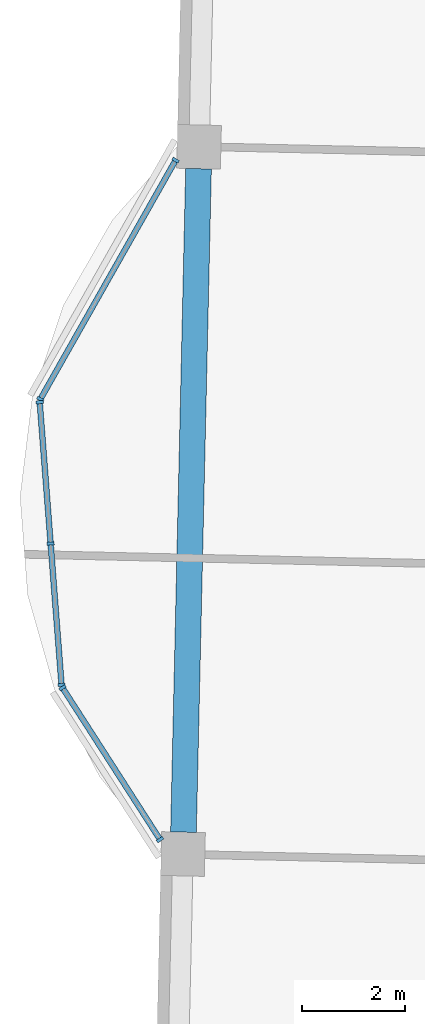
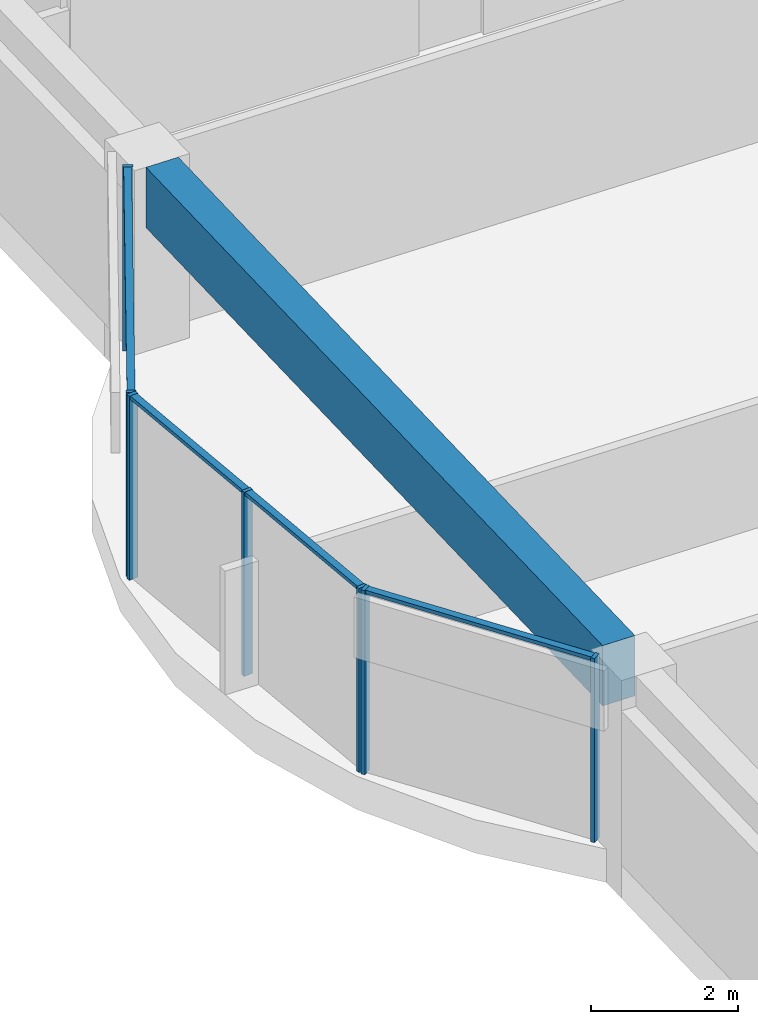
# One storey, part 2 of 11: 11 members, 1 beam, 3 elements without a shape of their own.
"""IFC4 building model written with IfcOpenShell, lengths in metres."""

from ifc_helpers import new_model, si_unit, direction, frame, origin, origin_2d, place, context, subcontext, project, spatial, rectangle, extrude, material, material_profile, profile_set, type_object, element, aggregate, save


model = new_model("IFC4")

# Units and contexts
model_context = context("Model", 3, precision=1e-05, world=origin(), true_north=direction((0.0, 1.0)))
body_context = subcontext(model_context, "Body", "Model", "MODEL_VIEW")
ifc_project = project(units=[si_unit("LENGTHUNIT", "METRE"), si_unit("AREAUNIT", "SQUARE_METRE"), si_unit("VOLUMEUNIT", "CUBIC_METRE"), si_unit("PLANEANGLEUNIT", "RADIAN"), si_unit("MASSUNIT", "GRAM", prefix="KILO")], contexts=[model_context])

# Site, building, storey
site_placement = place(None, origin())
site = spatial("IfcSite", under=ifc_project, at=site_placement, CompositionType="ELEMENT")
building_placement = place(site_placement, origin())
building = spatial("IfcBuilding", under=site, at=building_placement, Name="Mangrove Gate Tower", CompositionType="ELEMENT")
storey_placement = place(building_placement, frame((0.0, 0.0, 334.300048828125)))
storey = spatial("IfcBuildingStorey", under=building, at=storey_placement, Name="L85", CompositionType="ELEMENT", Elevation=334.300048828125)

# Curtain wall, members
ifc_material_1 = material(Name="Aluminium and glass curtain wall", Category="aluminium")
curtain_wall_type = type_object("IfcCurtainWallType", Name="Crown garden glazing wall", PredefinedType="NOTDEFINED", material=ifc_material_1)
curtain_wall_1_placement = place(storey_placement, origin())
curtain_wall_1 = element("IfcCurtainWall", 1, at=curtain_wall_1_placement, inside=storey, type_object=curtain_wall_type, Name="Crown garden glazing W9f1", PredefinedType="NOTDEFINED")
ifc_material_2 = material(Name="Aluminium alloy 6063-T6", Category="aluminium")
ifc_material_profile_1 = material_profile(ifc_material_2, rectangle(XDim=0.06005859375, YDim=0.139892578125, at=origin_2d()))
ifc_profile_set_1 = profile_set([ifc_material_profile_1], Name="Aluminium alloy 6063-T6")
member_type_1 = type_object("IfcMemberType", Name="Crown garden glazing mullion 60x140", PredefinedType="MULLION", material=ifc_profile_set_1)
member_1_placement = place(storey_placement, frame((-28.517333984375, 8.866455078125, 0.0), z_axis=(0.0, 0.0, 1.0), x_axis=(-0.492585217246, -0.870264214909, 0.0)))
member_1 = element("IfcMember", 2, at=member_1_placement, type_object=member_type_1, Name="CWC mullion 1", PredefinedType="MULLION", context=body_context, shape_type="SweptSolid", body=[
    extrude(rectangle(XDim=0.06005859375, YDim=0.139892578125, at=origin_2d()), origin(), (0.0, 0.0, 1.0), 3.050048828125),
])
member_2_placement = place(storey_placement, frame((-31.146728515625, 4.220703125, 0.0), z_axis=(0.0, 0.0, 1.0), x_axis=(-0.492585217246, -0.870264214909, 0.0)))
member_2 = element("IfcMember", 3, at=member_2_placement, type_object=member_type_1, Name="CWC mullion 2", PredefinedType="MULLION", context=body_context, shape_type="SweptSolid", body=[
    extrude(rectangle(XDim=0.06005859375, YDim=0.139892578125, at=origin_2d()), origin(), (0.0, 0.0, 1.0), 3.050048828125),
])

curtain_wall_2_placement = place(storey_placement, origin())
curtain_wall_2 = element("IfcCurtainWall", 4, at=curtain_wall_2_placement, inside=storey, type_object=curtain_wall_type, Name="Crown garden glazing W9f2", PredefinedType="NOTDEFINED")
member_3_placement = place(storey_placement, frame((-31.1591796875, 4.164794921875, 0.0), z_axis=(0.0, 0.0, 1.0), x_axis=(0.077023348229, -0.997029289353, 0.0)))
member_3 = element("IfcMember", 5, at=member_3_placement, type_object=member_type_1, Name="CWC mullion 1", PredefinedType="MULLION", context=body_context, shape_type="SweptSolid", body=[
    extrude(rectangle(XDim=0.06005859375, YDim=0.139892578125, at=origin_2d()), origin(), (0.0, 0.0, 1.0), 3.050048828125),
])
member_4_placement = place(storey_placement, frame((-30.947021484375, 1.416259765625, 0.0), z_axis=(0.0, 0.0, 1.0), x_axis=(0.077023348229, -0.997029289353, 0.0)))
member_4 = element("IfcMember", 6, at=member_4_placement, type_object=member_type_1, Name="CWC mullion 2", PredefinedType="MULLION", context=body_context, shape_type="SweptSolid", body=[
    extrude(rectangle(XDim=0.06005859375, YDim=0.139892578125, at=origin_2d()), origin(), (0.0, 0.0, 1.0), 3.050048828125),
])
member_5_placement = place(storey_placement, frame((-30.734619140625, -1.332275390625, 0.0), z_axis=(0.0, 0.0, 1.0), x_axis=(0.077023348229, -0.997029289353, 0.0)))
member_5 = element("IfcMember", 7, at=member_5_placement, type_object=member_type_1, Name="CWC mullion 3", PredefinedType="MULLION", context=body_context, shape_type="SweptSolid", body=[
    extrude(rectangle(XDim=0.06005859375, YDim=0.139892578125, at=origin_2d()), origin(), (0.0, 0.0, 1.0), 3.050048828125),
])

curtain_wall_3_placement = place(storey_placement, origin())
curtain_wall_3 = element("IfcCurtainWall", 8, at=curtain_wall_3_placement, inside=storey, type_object=curtain_wall_type, Name="Crown garden glazing W9f3", PredefinedType="NOTDEFINED")
member_6_placement = place(storey_placement, frame((-30.716064453125, -1.387451171875, 0.0), z_axis=(0.0, 0.0, 1.0), x_axis=(0.540510899309, -0.84133701198, 0.0)))
member_6 = element("IfcMember", 9, at=member_6_placement, type_object=member_type_1, Name="CWC mullion 1", PredefinedType="MULLION", context=body_context, shape_type="SweptSolid", body=[
    extrude(rectangle(XDim=0.06005859375, YDim=0.139892578125, at=origin_2d()), origin(), (0.0, 0.0, 1.0), 3.050048828125),
])
member_7_placement = place(storey_placement, frame((-28.819580078125, -4.33935546875, 0.0), z_axis=(0.0, 0.0, 1.0), x_axis=(0.540510899309, -0.84133701198, 0.0)))
member_7 = element("IfcMember", 10, at=member_7_placement, type_object=member_type_1, Name="CWC mullion 2", PredefinedType="MULLION", context=body_context, shape_type="SweptSolid", body=[
    extrude(rectangle(XDim=0.06005859375, YDim=0.139892578125, at=origin_2d()), origin(), (0.0, 0.0, 1.0), 3.050048828125),
])

# Member
ifc_material_3 = material(Name="Aluminium alloy 6063-T6", Category="aluminium")
ifc_material_profile_2 = material_profile(ifc_material_3, rectangle(XDim=0.06005859375, YDim=0.110107421875, at=origin_2d()))
ifc_profile_set_2 = profile_set([ifc_material_profile_2], Name="Aluminium alloy 6063-T6")
member_type_2 = type_object("IfcMemberType", Name="Crown garden glazing transom 60x110", PredefinedType="USERDEFINED", material=ifc_profile_set_2)
member_8_placement = place(storey_placement, frame((-28.5322265625, 8.84033203125, 3.02001953125), z_axis=(-0.492563188816, -0.870276683029, 0.0), x_axis=(0.0, 0.0, 1.0)))
member_8 = element("IfcMember", 11, at=member_8_placement, type_object=member_type_2, Name="CWC transom 1.2", ObjectType="TRANSOM", PredefinedType="USERDEFINED", context=body_context, shape_type="SweptSolid", body=[
    extrude(rectangle(XDim=0.06005859375, YDim=0.110107421875, at=origin_2d()), origin(), (0.0, 0.0, 1.0), 5.2783203125),
])

aggregate(curtain_wall_1, [member_1, member_2, member_8])

member_9_placement = place(storey_placement, frame((-31.156982421875, 4.134765625, 3.02001953125), z_axis=(0.077042645639, -0.997027798385, 0.0), x_axis=(0.0, 0.0, 1.0)))
member_9 = element("IfcMember", 12, at=member_9_placement, type_object=member_type_2, Name="CWC transom 1.2", ObjectType="TRANSOM", PredefinedType="USERDEFINED", context=body_context, shape_type="SweptSolid", body=[
    extrude(rectangle(XDim=0.06005859375, YDim=0.110107421875, at=origin_2d()), origin(), (0.0, 0.0, 1.0), 2.69677734375),
])

member_10_placement = place(storey_placement, frame((-30.944580078125, 1.38623046875, 3.02001953125), z_axis=(0.077042645639, -0.997027798385, 0.0), x_axis=(0.0, 0.0, 1.0)))
member_10 = element("IfcMember", 13, at=member_10_placement, type_object=member_type_2, Name="CWC transom 2.2", ObjectType="TRANSOM", PredefinedType="USERDEFINED", context=body_context, shape_type="SweptSolid", body=[
    extrude(rectangle(XDim=0.06005859375, YDim=0.110107421875, at=origin_2d()), origin(), (0.0, 0.0, 1.0), 2.69677734375),
])

aggregate(curtain_wall_2, [member_3, member_4, member_5, member_9, member_10])

member_11_placement = place(storey_placement, frame((-30.699951171875, -1.41259765625, 3.02001953125), z_axis=(0.54052141559, -0.841330255779, 0.0), x_axis=(0.0, 0.0, 1.0)))
member_11 = element("IfcMember", 14, at=member_11_placement, type_object=member_type_2, Name="CWC transom 1.2", ObjectType="TRANSOM", PredefinedType="USERDEFINED", context=body_context, shape_type="SweptSolid", body=[
    extrude(rectangle(XDim=0.06005859375, YDim=0.110107421875, at=origin_2d()), origin(), (0.0, 0.0, 1.0), 3.448486328125),
])

aggregate(curtain_wall_3, [member_6, member_7, member_11])

# Beam
ifc_material_4 = material(Name="Concrete C50/60", Category="concrete")
ifc_material_profile_3 = material_profile(ifc_material_4, rectangle(XDim=0.5, YDim=1.0, at=origin_2d()))
ifc_profile_set_3 = profile_set([ifc_material_profile_3], Name="Concrete C50/60")
beam_type = type_object("IfcBeamType", Name="Edge beam RC 500x1000 C50/60", PredefinedType="BEAM", material=ifc_profile_set_3)
beam_placement = place(storey_placement, frame((-28.07177734375, 8.702392578125, 2.550048828125), z_axis=(-0.022690883298, -0.999742528762, 0.0), x_axis=(0.999742528762, -0.022690883298, 0.0)))
element("IfcBeam", 15, at=beam_placement, inside=storey, type_object=beam_type, Name="Edge beam L85 31", PredefinedType="BEAM", context=body_context, shape_type="SweptSolid", body=[
    extrude(rectangle(XDim=0.5, YDim=1.0, at=origin_2d()), origin(), (0.0, 0.0, 1.0), 12.900634765625),
])

save(model, "model.ifc")
